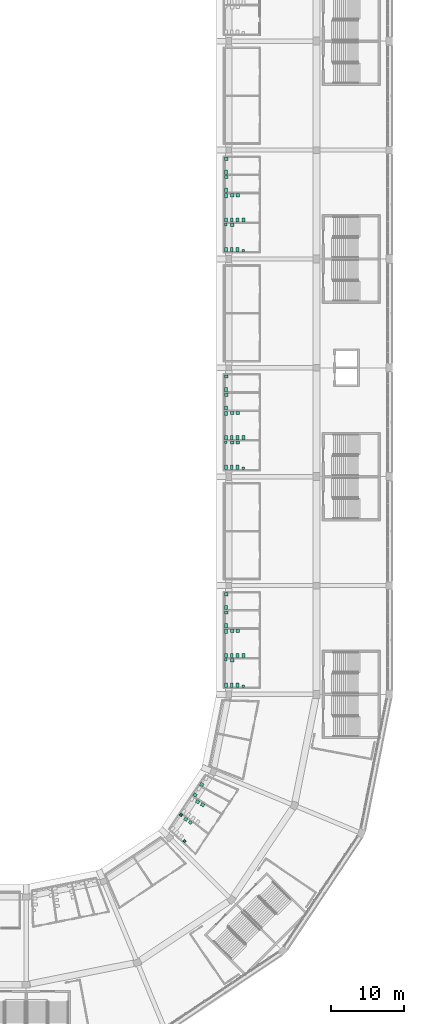
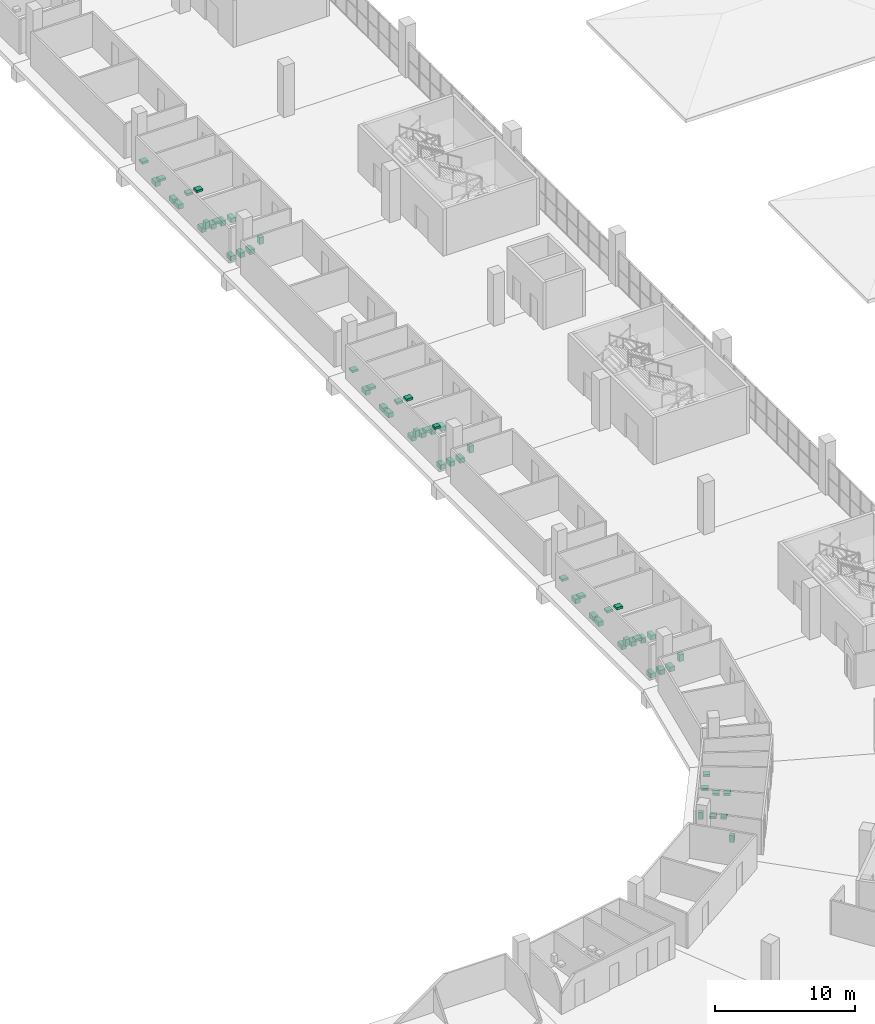
# One storey, part 197 of 199: 60 sanitary terminals.
"""IFC4 building model written with IfcOpenShell, lengths in metres."""

from ifc_helpers import new_model, si_unit, direction, frame, origin, origin_2d, place, context, subcontext, project, spatial, rectangle, extrude, material, type_object, element, save


model = new_model("IFC4")

# Units and contexts
model_context = context("Model", 3, precision=1e-05, world=origin(), true_north=direction((0.0, 1.0)))
body_context = subcontext(model_context, "Body", "Model", "MODEL_VIEW")
ifc_project = project(units=[si_unit("LENGTHUNIT", "METRE"), si_unit("AREAUNIT", "SQUARE_METRE"), si_unit("VOLUMEUNIT", "CUBIC_METRE"), si_unit("PLANEANGLEUNIT", "RADIAN"), si_unit("MASSUNIT", "GRAM", prefix="KILO")], contexts=[model_context])

# Site, building, storey
site_placement = place(None, origin())
site = spatial("IfcSite", under=ifc_project, at=site_placement, CompositionType="ELEMENT")
building_placement = place(site_placement, origin())
building = spatial("IfcBuilding", under=site, at=building_placement, Name="Ogive Plaza Stadium", CompositionType="ELEMENT")
storey_placement = place(building_placement, frame((0.0, 0.0, 4.5)))
storey = spatial("IfcBuildingStorey", under=building, at=storey_placement, Name="L01", CompositionType="ELEMENT", Elevation=4.5)

# Sanitary terminals
ifc_material_1 = material(Name="Vitreous china", Category="ceramic")
sanitary_terminal_type_1 = type_object("IfcSanitaryTerminalType", Name="Drinking fountain", PredefinedType="SANITARYFOUNTAIN", material=ifc_material_1)
for number, where, z_axis, x_axis, name in (
    (1, (63.14990234375, -17.782958984375, 0.7998046875), (0.0, 0.0, 1.0), (1.0, 0.0, 0.0), "Drinking fountain L01-013"),
    (2, (56.6201171875, -70.140625, 0.7998046875), (0.0, 0.0, 1.0), (0.792821793707, -0.609453528518, 0.0), "Drinking fountain L01-026"),
):
    element("IfcSanitaryTerminal", number, at=place(storey_placement, frame(where, z_axis=z_axis, x_axis=x_axis)), inside=storey, type_object=sanitary_terminal_type_1, Name=name, PredefinedType="SANITARYFOUNTAIN", context=body_context, shape_type="SweptSolid", body=[
        extrude(rectangle(XDim=0.449951171875, YDim=0.39990234375, at=origin_2d()), origin(), (0.0, 0.0, 1.0), 0.199951171875),
    ])
ifc_material_2 = material(Name="Vitreous china", Category="ceramic")
sanitary_terminal_type_2 = type_object("IfcSanitaryTerminalType", Name="Lavatory", PredefinedType="WASHHANDBASIN", material=ifc_material_2)
for number, where, z_axis, x_axis, name in (
    (3, (62.375, 12.19189453125, 0.7998046875), (0.0, 0.0, 1.0), (1.0, 0.0, 0.0), "Lavatory L01-007"),
    (4, (62.375, -17.80810546875, 0.7998046875), (0.0, 0.0, 1.0), (1.0, 0.0, 0.0), "Lavatory L01-013"),
    (5, (62.375, -47.80810546875, 0.7998046875), (0.0, 0.0, 1.0), (1.0, 0.0, 0.0), "Lavatory L01-019"),
    (6, (55.990478515625, -69.688232421875, 0.7998046875), (0.0, 0.0, 1.0), (0.792821793707, -0.609453528518, 0.0), "Lavatory L01-026"),
    (7, (62.375, 16.283935546875, 0.7998046875), (0.0, 0.0, 1.0), (1.0, 0.0, 0.0), "Lavatory L01-008"),
    (8, (63.175048828125, 16.283935546875, 0.7998046875), (0.0, 0.0, 1.0), (1.0, 0.0, 0.0), "Lavatory L01-008"),
    (9, (62.375, -13.716064453125, 0.7998046875), (0.0, 0.0, 1.0), (1.0, 0.0, 0.0), "Lavatory L01-014"),
    (10, (63.175048828125, -13.716064453125, 0.7998046875), (0.0, 0.0, 1.0), (1.0, 0.0, 0.0), "Lavatory L01-014"),
    (11, (62.375, -43.716064453125, 0.7998046875), (0.0, 0.0, 1.0), (1.0, 0.0, 0.0), "Lavatory L01-020"),
    (12, (63.175048828125, -43.716064453125, 0.7998046875), (0.0, 0.0, 1.0), (1.0, 0.0, 0.0), "Lavatory L01-020"),
    (13, (57.622802734375, -67.290283203125, 0.7998046875), (0.0, 0.0, 1.0), (0.851834830375, -0.523810482675, 0.0), "Lavatory L01-027"),
    (14, (58.30419921875, -67.709228515625, 0.7998046875), (0.0, 0.0, 1.0), (0.851834830375, -0.523810482675, 0.0), "Lavatory L01-027"),
    (15, (61.574951171875, 18.7919921875, 0.7998046875), (0.0, 0.0, 1.0), (1.0, 0.0, 0.0), "Lavatory L01-009"),
    (16, (61.574951171875, 21.300048828125, 0.7998046875), (0.0, 0.0, 1.0), (1.0, 0.0, 0.0), "Lavatory L01-010"),
    (17, (61.574951171875, -11.2080078125, 0.7998046875), (0.0, 0.0, 1.0), (1.0, 0.0, 0.0), "Lavatory L01-015"),
    (18, (61.574951171875, -8.699951171875, 0.7998046875), (0.0, 0.0, 1.0), (1.0, 0.0, 0.0), "Lavatory L01-016"),
    (19, (61.574951171875, -41.2080078125, 0.7998046875), (0.0, 0.0, 1.0), (1.0, 0.0, 0.0), "Lavatory L01-021"),
    (20, (61.574951171875, -38.699951171875, 0.7998046875), (0.0, 0.0, 1.0), (1.0, 0.0, 0.0), "Lavatory L01-022"),
    (21, (57.25341796875, -66.371337890625, 0.7998046875), (0.0, 0.0, 1.0), (0.854516855644, -0.519423664671, 0.0), "Lavatory L01-028"),
    (22, (58.19921875, -64.927734375, 0.7998046875), (0.0, 0.0, 1.0), (0.885741426275, -0.46417898033, 0.0), "Lavatory L01-029"),
):
    element("IfcSanitaryTerminal", number, at=place(storey_placement, frame(where, z_axis=z_axis, x_axis=x_axis)), inside=storey, type_object=sanitary_terminal_type_2, Name=name, PredefinedType="WASHHANDBASIN", context=body_context, shape_type="SweptSolid", body=[
        extrude(rectangle(XDim=0.5, YDim=0.449951171875, at=origin_2d()), origin(), (0.0, 0.0, 1.0), 0.199951171875),
    ])
ifc_material_3 = material(Name="Vitreous china", Category="ceramic")
sanitary_terminal_type_3 = type_object("IfcSanitaryTerminalType", Name="Urinal", PredefinedType="URINAL", material=ifc_material_3)
for number, where, z_axis, x_axis, name in (
    (23, (63.89990234375, 8.64990234375, 0.599853515625), (0.0, 0.0, 1.0), (1.0, 0.0, 0.0), "Urinal L01-007"),
    (24, (61.5, 12.241943359375, 0.599853515625), (0.0, 0.0, 1.0), (1.0, 0.0, 0.0), "Urinal L01-007"),
    (25, (63.89990234375, -21.35009765625, 0.599853515625), (0.0, 0.0, 1.0), (1.0, 0.0, 0.0), "Urinal L01-013"),
    (26, (61.5, -17.758056640625, 0.599853515625), (0.0, 0.0, 1.0), (1.0, 0.0, 0.0), "Urinal L01-013"),
    (27, (63.89990234375, -51.35009765625, 0.599853515625), (0.0, 0.0, 1.0), (1.0, 0.0, 0.0), "Urinal L01-019"),
    (28, (61.5, -47.758056640625, 0.599853515625), (0.0, 0.0, 1.0), (1.0, 0.0, 0.0), "Urinal L01-019"),
    (29, (55.81884765625, -72.709228515625, 0.599853515625), (0.0, 0.0, 1.0), (0.72963734478, -0.683834296524, 0.0), "Urinal L01-026"),
    (30, (55.3271484375, -69.115234375, 0.599853515625), (0.0, 0.0, 1.0), (0.792821793707, -0.609453528518, 0.0), "Urinal L01-026"),
):
    element("IfcSanitaryTerminal", number, at=place(storey_placement, frame(where, z_axis=z_axis, x_axis=x_axis)), inside=storey, type_object=sanitary_terminal_type_3, Name=name, PredefinedType="URINAL", context=body_context, shape_type="SweptSolid", body=[
        extrude(rectangle(XDim=0.35009765625, YDim=0.35009765625, at=origin_2d()), origin(), (0.0, 0.0, 1.0), 0.60009765625),
    ])
ifc_material_4 = material(Name="Vitreous china", Category="ceramic")
sanitary_terminal_type_4 = type_object("IfcSanitaryTerminalType", Name="Water closet", PredefinedType="TOILETPAN", material=ifc_material_4)
for number, where, z_axis, x_axis, name in (
    (31, (61.52490234375, 8.77490234375, 0.0), (0.0, 0.0, 1.0), (1.0, 0.0, 0.0), "Water closet L01-007"),
    (32, (62.324951171875, 8.77490234375, 0.0), (0.0, 0.0, 1.0), (1.0, 0.0, 0.0), "Water closet L01-007"),
    (33, (63.125, 8.77490234375, 0.0), (0.0, 0.0, 1.0), (1.0, 0.0, 0.0), "Water closet L01-007"),
    (34, (61.52490234375, -21.22509765625, 0.0), (0.0, 0.0, 1.0), (1.0, 0.0, 0.0), "Water closet L01-013"),
    (35, (62.324951171875, -21.22509765625, 0.0), (0.0, 0.0, 1.0), (1.0, 0.0, 0.0), "Water closet L01-013"),
    (36, (63.125, -21.22509765625, 0.0), (0.0, 0.0, 1.0), (1.0, 0.0, 0.0), "Water closet L01-013"),
    (37, (61.52490234375, -51.22509765625, 0.0), (0.0, 0.0, 1.0), (1.0, 0.0, 0.0), "Water closet L01-019"),
    (38, (62.324951171875, -51.22509765625, 0.0), (0.0, 0.0, 1.0), (1.0, 0.0, 0.0), "Water closet L01-019"),
    (39, (63.125, -51.22509765625, 0.0), (0.0, 0.0, 1.0), (1.0, 0.0, 0.0), "Water closet L01-019"),
    (40, (61.52490234375, 12.866943359375, 0.0), (0.0, 0.0, 1.0), (1.0, 0.0, 0.0), "Water closet L01-008"),
    (41, (62.324951171875, 12.866943359375, 0.0), (0.0, 0.0, 1.0), (1.0, 0.0, 0.0), "Water closet L01-008"),
    (42, (63.125, 12.866943359375, 0.0), (0.0, 0.0, 1.0), (1.0, 0.0, 0.0), "Water closet L01-008"),
    (43, (63.925048828125, 12.866943359375, 0.0), (0.0, 0.0, 1.0), (1.0, 0.0, 0.0), "Water closet L01-008"),
    (44, (61.52490234375, 16.208984375, 0.0), (0.0, 0.0, 1.0), (1.0, 0.0, 0.0), "Water closet L01-008"),
    (45, (61.52490234375, -17.133056640625, 0.0), (0.0, 0.0, 1.0), (1.0, 0.0, 0.0), "Water closet L01-014"),
    (46, (62.324951171875, -17.133056640625, 0.0), (0.0, 0.0, 1.0), (1.0, 0.0, 0.0), "Water closet L01-014"),
    (47, (63.125, -17.133056640625, 0.0), (0.0, 0.0, 1.0), (1.0, 0.0, 0.0), "Water closet L01-014"),
    (48, (63.925048828125, -17.133056640625, 0.0), (0.0, 0.0, 1.0), (1.0, 0.0, 0.0), "Water closet L01-014"),
    (49, (61.52490234375, -13.791015625, 0.0), (0.0, 0.0, 1.0), (1.0, 0.0, 0.0), "Water closet L01-014"),
    (50, (61.52490234375, -47.133056640625, 0.0), (0.0, 0.0, 1.0), (1.0, 0.0, 0.0), "Water closet L01-020"),
    (51, (62.324951171875, -47.133056640625, 0.0), (0.0, 0.0, 1.0), (1.0, 0.0, 0.0), "Water closet L01-020"),
    (52, (63.125, -47.133056640625, 0.0), (0.0, 0.0, 1.0), (1.0, 0.0, 0.0), "Water closet L01-020"),
    (53, (63.925048828125, -47.133056640625, 0.0), (0.0, 0.0, 1.0), (1.0, 0.0, 0.0), "Water closet L01-020"),
    (54, (61.52490234375, -43.791015625, 0.0), (0.0, 0.0, 1.0), (1.0, 0.0, 0.0), "Water closet L01-020"),
    (55, (61.52490234375, 16.958984375, 0.0), (0.0, 0.0, 1.0), (1.0, 0.0, 0.0), "Water closet L01-009"),
    (56, (61.52490234375, 19.467041015625, 0.0), (0.0, 0.0, 1.0), (1.0, 0.0, 0.0), "Water closet L01-010"),
    (57, (61.52490234375, -13.041015625, 0.0), (0.0, 0.0, 1.0), (1.0, 0.0, 0.0), "Water closet L01-015"),
    (58, (61.52490234375, -10.532958984375, 0.0), (0.0, 0.0, 1.0), (1.0, 0.0, 0.0), "Water closet L01-016"),
    (59, (61.52490234375, -43.041015625, 0.0), (0.0, 0.0, 1.0), (1.0, 0.0, 0.0), "Water closet L01-021"),
    (60, (61.52490234375, -40.532958984375, 0.0), (0.0, 0.0, 1.0), (1.0, 0.0, 0.0), "Water closet L01-022"),
):
    element("IfcSanitaryTerminal", number, at=place(storey_placement, frame(where, z_axis=z_axis, x_axis=x_axis)), inside=storey, type_object=sanitary_terminal_type_4, Name=name, PredefinedType="TOILETPAN", context=body_context, shape_type="SweptSolid", body=[
        extrude(rectangle(XDim=0.39990234375, YDim=0.60009765625, at=origin_2d()), origin(), (0.0, 0.0, 1.0), 0.39990234375),
    ])

save(model, "model.ifc")
